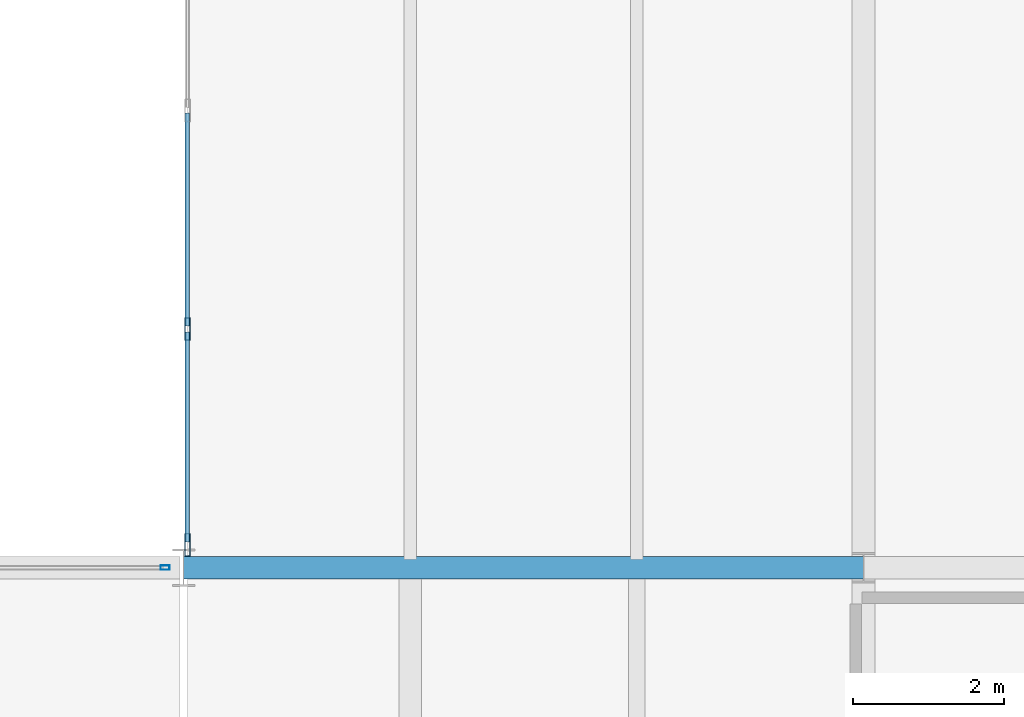
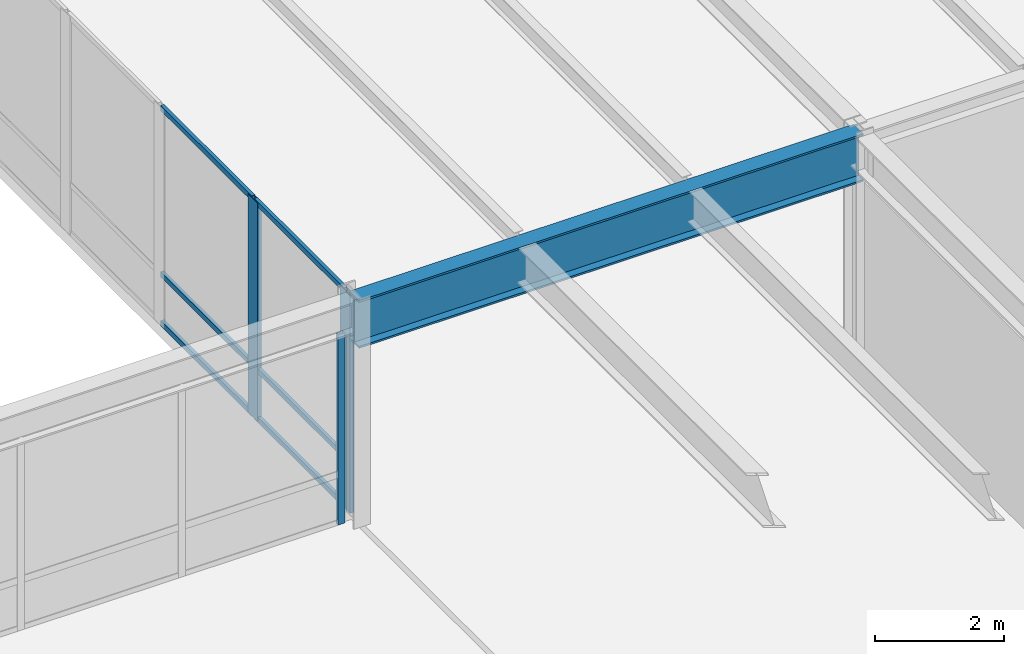
# One storey, part 41 of 115: 9 members, 1 beam, 2 elements without a shape of their own.
"""IFC4 building model written with IfcOpenShell, lengths in metres."""

from ifc_helpers import new_model, si_unit, direction, frame, origin, origin_2d, place, context, subcontext, project, spatial, hollow_rectangle, i_section, extrude, material, layer, layer_set, material_profile, profile_set, type_object, element, aggregate, save


model = new_model("IFC4")

# Units and contexts
model_context = context("Model", 3, precision=1e-05, world=origin(), true_north=direction((0.0, 1.0)))
body_context = subcontext(model_context, "Body", "Model", "MODEL_VIEW")
ifc_project = project(units=[si_unit("LENGTHUNIT", "METRE"), si_unit("AREAUNIT", "SQUARE_METRE"), si_unit("VOLUMEUNIT", "CUBIC_METRE"), si_unit("PLANEANGLEUNIT", "RADIAN"), si_unit("MASSUNIT", "GRAM", prefix="KILO")], contexts=[model_context])

# Site, building, storey
site_placement = place(None, origin())
site = spatial("IfcSite", under=ifc_project, at=site_placement, CompositionType="ELEMENT")
building_placement = place(site_placement, origin())
building = spatial("IfcBuilding", under=site, at=building_placement, Name="Montelvaro Courts of Justice", CompositionType="ELEMENT")
storey_placement = place(building_placement, frame((0.0, 0.0, 9.89990234375)))
storey = spatial("IfcBuildingStorey", under=building, at=storey_placement, Name="L02", CompositionType="ELEMENT", Elevation=9.89990234375)

# Beam
ifc_material_1 = material(Name="Steel S355", Category="steel")
ifc_material_profile_1 = material_profile(ifc_material_1, i_section(OverallWidth=0.300048828125, OverallDepth=0.89990234375, WebThickness=0.0185546875, FlangeThickness=0.034912109375, at=origin_2d()), Name="HEB 900")
ifc_profile_set_1 = profile_set([ifc_material_profile_1], Name="Steel S355")
beam_type = type_object("IfcBeamType", Name="Beam_HEB900", PredefinedType="USERDEFINED", material=ifc_profile_set_1)
beam_placement = place(storey_placement, frame((99.0, 42.0, 3.75), z_axis=(1.0, 0.0, 0.0), x_axis=(0.0, 1.0, 0.0)))
element("IfcBeam", 1, at=beam_placement, inside=storey, type_object=beam_type, Name="Beam B-30 L02", ObjectType="GIRDER", PredefinedType="USERDEFINED", context=body_context, shape_type="SweptSolid", body=[
    extrude(i_section(OverallWidth=0.300048828125, OverallDepth=0.89990234375, WebThickness=0.0185546875, FlangeThickness=0.034912109375, at=origin_2d()), origin(), (0.0, 0.0, 1.0), 9.0),
])

# Curtain wall, member
ifc_material_2 = material(Name="Anodised aluminium EN AW-6063", Category="aluminium")
ifc_layer_1 = layer(ifc_material_2, 0.159912109375)
ifc_layer_set_1 = layer_set([ifc_layer_1], Name="Anodised aluminium EN AW-6063")
curtain_wall_type_1 = type_object("IfcCurtainWallType", Name="CurtainWall_17_861x418", PredefinedType="USERDEFINED", material=ifc_layer_set_1)
curtain_wall_1_placement = place(storey_placement, origin())
curtain_wall_1 = element("IfcCurtainWall", 2, at=curtain_wall_1_placement, inside=storey, type_object=curtain_wall_type_1, Name="Curtain Wall CW-17 (L02)", ObjectType="CURTAIN WALL", PredefinedType="USERDEFINED")
ifc_material_profile_2 = material_profile(ifc_material_2, hollow_rectangle(XDim=0.06005859375, YDim=0.1201171875, WallThickness=0.00341796875, at=origin_2d()), Name="ALU-M 60x120")
ifc_profile_set_2 = profile_set([ifc_material_profile_2], Name="Anodised aluminium EN AW-6063")
member_type_1 = type_object("IfcMemberType", Name="CurtainWall_Mullion_60x120", PredefinedType="MULLION", material=ifc_profile_set_2)
member_1_placement = place(storey_placement, frame((98.7548828125, 42.0, 0.0), z_axis=(0.0, 0.0, 1.0), x_axis=(0.0, -1.0, 0.0)))
member_1 = element("IfcMember", 3, at=member_1_placement, type_object=member_type_1, Name="CW-17 mullion 1", PredefinedType="MULLION", context=body_context, shape_type="SweptSolid", body=[
    extrude(hollow_rectangle(XDim=0.06005859375, YDim=0.1201171875, WallThickness=0.00341796875, at=origin_2d()), origin(), (0.0, 0.0, 1.0), 3.59521484375),
])
aggregate(curtain_wall_1, [member_1])

# Curtain wall, members
ifc_layer_2 = layer(ifc_material_2, 0.159912109375)
ifc_layer_set_2 = layer_set([ifc_layer_2], Name="Anodised aluminium EN AW-6063")
curtain_wall_type_2 = type_object("IfcCurtainWallType", Name="CurtainWall_19_1159x418", PredefinedType="USERDEFINED", material=ifc_layer_set_2)
curtain_wall_2_placement = place(storey_placement, origin())
curtain_wall_2 = element("IfcCurtainWall", 4, at=curtain_wall_2_placement, inside=storey, type_object=curtain_wall_type_2, Name="Curtain Wall CW-19 (L02)", ObjectType="CURTAIN WALL", PredefinedType="USERDEFINED")
ifc_material_profile_3 = material_profile(ifc_material_2, hollow_rectangle(XDim=0.074951171875, YDim=0.300048828125, WallThickness=0.006103515625, at=origin_2d()), Name="ALU-M 75x300")
ifc_profile_set_3 = profile_set([ifc_material_profile_3], Name="Anodised aluminium EN AW-6063")
member_type_2 = type_object("IfcMemberType", Name="CurtainWall_Mullion_75x300", PredefinedType="MULLION", material=ifc_profile_set_3)
member_2_placement = place(storey_placement, frame((99.050048828125, 45.159912109375, 0.0), z_axis=(0.0, 0.0, 1.0), x_axis=(1.0, 0.0, 0.0)))
member_2 = element("IfcMember", 5, at=member_2_placement, type_object=member_type_2, Name="CW-19 mullion 4", PredefinedType="MULLION", context=body_context, shape_type="SweptSolid", body=[
    extrude(hollow_rectangle(XDim=0.074951171875, YDim=0.300048828125, WallThickness=0.006103515625, at=origin_2d()), origin(), (0.0, 0.0, 1.0), 4.1201171875),
])
member_3_placement = place(storey_placement, frame((99.050048828125, 42.302490234375, 0.0), z_axis=(0.0, 0.0, 1.0), x_axis=(1.0, 0.0, 0.0)))
member_3 = element("IfcMember", 6, at=member_3_placement, type_object=member_type_2, Name="CW-19 mullion 5", PredefinedType="MULLION", context=body_context, shape_type="SweptSolid", body=[
    extrude(hollow_rectangle(XDim=0.074951171875, YDim=0.300048828125, WallThickness=0.006103515625, at=origin_2d()), origin(), (0.0, 0.0, 1.0), 4.1201171875),
])
ifc_material_profile_4 = material_profile(ifc_material_2, hollow_rectangle(XDim=0.06005859375, YDim=0.10009765625, WallThickness=0.00341796875, at=origin_2d()), Name="ALU-T 60x100")
ifc_profile_set_4 = profile_set([ifc_material_profile_4], Name="Anodised aluminium EN AW-6063")
member_type_3 = type_object("IfcMemberType", Name="CurtainWall_Transom_60x100", PredefinedType="USERDEFINED", material=ifc_profile_set_4)
member_4_placement = place(storey_placement, frame((99.050048828125, 48.017578125, 0.030029296875), z_axis=(0.0, -1.0, 0.0), x_axis=(1.0, 0.0, 0.0)))
member_4 = element("IfcMember", 7, at=member_4_placement, type_object=member_type_3, Name="CW-19 transom 3.1", ObjectType="TRANSOM", PredefinedType="USERDEFINED", context=body_context, shape_type="SweptSolid", body=[
    extrude(hollow_rectangle(XDim=0.06005859375, YDim=0.10009765625, WallThickness=0.00341796875, at=origin_2d()), origin(), (0.0, 0.0, 1.0), 2.820068359375),
])
member_5_placement = place(storey_placement, frame((99.050048828125, 48.017578125, 0.9501953125), z_axis=(0.0, -1.0, 0.0), x_axis=(1.0, 0.0, 0.0)))
member_5 = element("IfcMember", 8, at=member_5_placement, type_object=member_type_3, Name="CW-19 transom 3.2", ObjectType="TRANSOM", PredefinedType="USERDEFINED", context=body_context, shape_type="SweptSolid", body=[
    extrude(hollow_rectangle(XDim=0.06005859375, YDim=0.10009765625, WallThickness=0.00341796875, at=origin_2d()), origin(), (0.0, 0.0, 1.0), 2.820068359375),
])
member_6_placement = place(storey_placement, frame((99.050048828125, 48.017578125, 4.090087890625), z_axis=(0.0, -1.0, 0.0), x_axis=(1.0, 0.0, 0.0)))
member_6 = element("IfcMember", 9, at=member_6_placement, type_object=member_type_3, Name="CW-19 transom 3.3", ObjectType="TRANSOM", PredefinedType="USERDEFINED", context=body_context, shape_type="SweptSolid", body=[
    extrude(hollow_rectangle(XDim=0.06005859375, YDim=0.10009765625, WallThickness=0.00341796875, at=origin_2d()), origin(), (0.0, 0.0, 1.0), 2.820068359375),
])
member_7_placement = place(storey_placement, frame((99.050048828125, 45.12255859375, 0.030029296875), z_axis=(0.0, -1.0, 0.0), x_axis=(1.0, 0.0, 0.0)))
member_7 = element("IfcMember", 10, at=member_7_placement, type_object=member_type_3, Name="CW-19 transom 4.1", ObjectType="TRANSOM", PredefinedType="USERDEFINED", context=body_context, shape_type="SweptSolid", body=[
    extrude(hollow_rectangle(XDim=0.06005859375, YDim=0.10009765625, WallThickness=0.00341796875, at=origin_2d()), origin(), (0.0, 0.0, 1.0), 2.782470703125),
])
member_8_placement = place(storey_placement, frame((99.050048828125, 45.12255859375, 0.9501953125), z_axis=(0.0, -1.0, 0.0), x_axis=(1.0, 0.0, 0.0)))
member_8 = element("IfcMember", 11, at=member_8_placement, type_object=member_type_3, Name="CW-19 transom 4.2", ObjectType="TRANSOM", PredefinedType="USERDEFINED", context=body_context, shape_type="SweptSolid", body=[
    extrude(hollow_rectangle(XDim=0.06005859375, YDim=0.10009765625, WallThickness=0.00341796875, at=origin_2d()), origin(), (0.0, 0.0, 1.0), 2.782470703125),
])
member_9_placement = place(storey_placement, frame((99.050048828125, 45.12255859375, 4.090087890625), z_axis=(0.0, -1.0, 0.0), x_axis=(1.0, 0.0, 0.0)))
member_9 = element("IfcMember", 12, at=member_9_placement, type_object=member_type_3, Name="CW-19 transom 4.3", ObjectType="TRANSOM", PredefinedType="USERDEFINED", context=body_context, shape_type="SweptSolid", body=[
    extrude(hollow_rectangle(XDim=0.06005859375, YDim=0.10009765625, WallThickness=0.00341796875, at=origin_2d()), origin(), (0.0, 0.0, 1.0), 2.782470703125),
])
aggregate(curtain_wall_2, [member_2, member_3, member_4, member_5, member_6, member_7, member_8, member_9])

save(model, "model.ifc")
